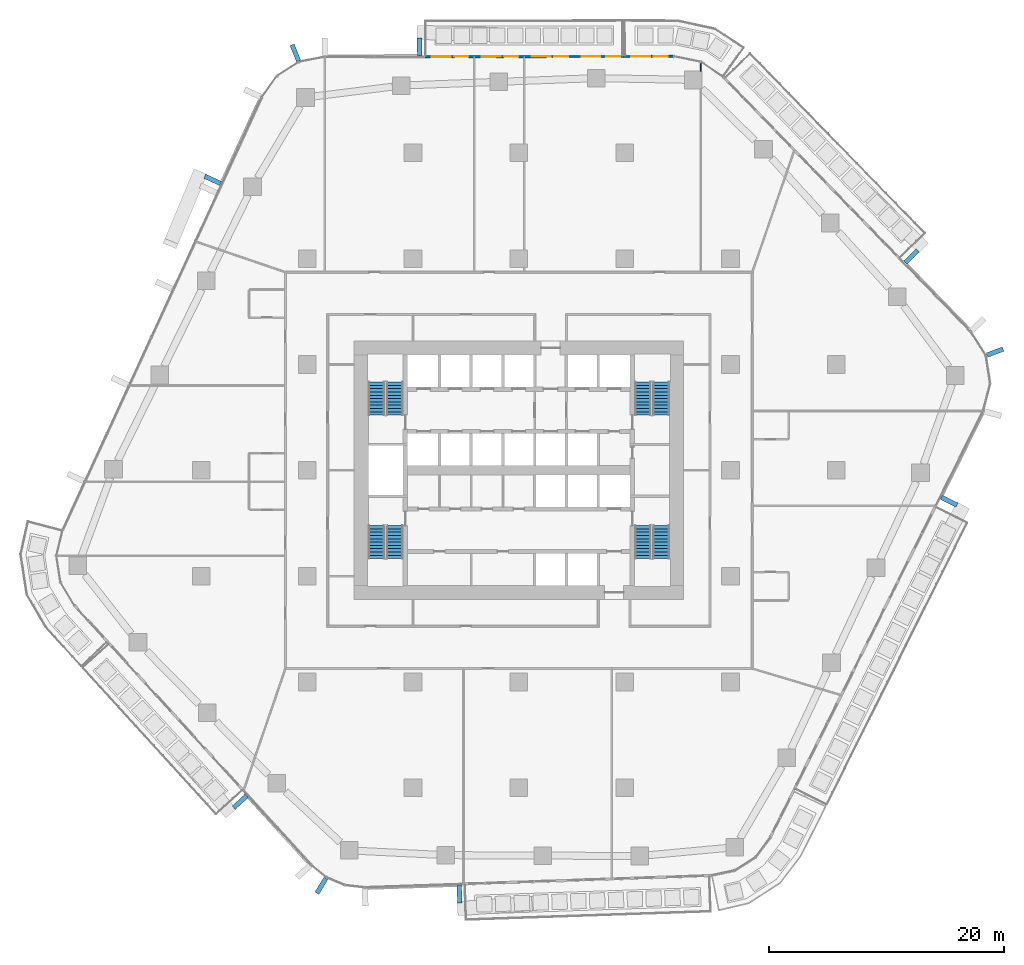
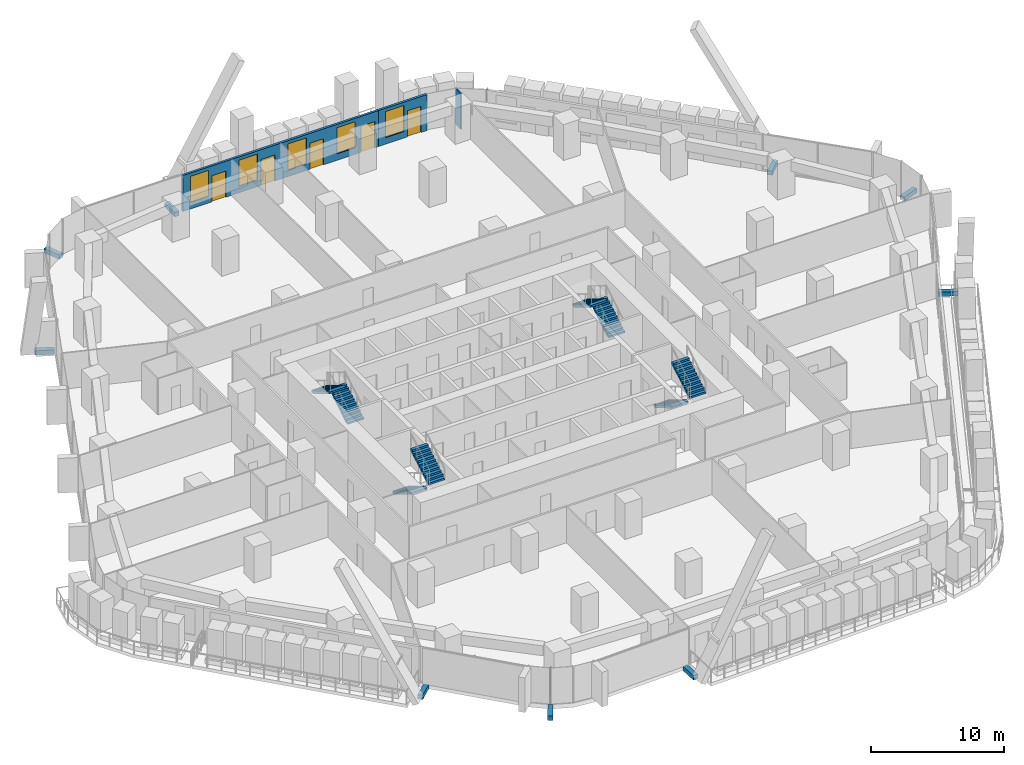
# One storey, part 18 of 26: 9 discrete accessories, 8 stair flights, 5 doors, 5 windows, 3 walls, 10 openings, 4 elements without a shape of their own.
"""IFC4 building model written with IfcOpenShell, lengths in metres."""

from ifc_helpers import new_model, si_unit, direction, frame, frame_2d, origin, origin_2d, place, context, subcontext, project, spatial, polyline, rectangle, outline, extrude, material, layer, layer_set, type_object, element, fill, aggregate, save


model = new_model("IFC4")

# Units and contexts
model_context = context("Model", 3, precision=1e-05, world=origin(), true_north=direction((0.0, 1.0)))
body_context = subcontext(model_context, "Body", "Model", "MODEL_VIEW")
ifc_project = project(units=[si_unit("LENGTHUNIT", "METRE"), si_unit("AREAUNIT", "SQUARE_METRE"), si_unit("VOLUMEUNIT", "CUBIC_METRE"), si_unit("PLANEANGLEUNIT", "RADIAN"), si_unit("MASSUNIT", "GRAM", prefix="KILO")], contexts=[model_context])

# Site, building, storey
site_placement = place(None, origin())
site = spatial("IfcSite", under=ifc_project, at=site_placement, CompositionType="ELEMENT")
building_placement = place(site_placement, origin())
building = spatial("IfcBuilding", under=site, at=building_placement, Name="Dongbaek Canopy Tower", CompositionType="ELEMENT")
storey_placement = place(building_placement, frame((0.0, 0.0, 73.60009765625)))
storey = spatial("IfcBuildingStorey", under=building, at=storey_placement, Name="L14", CompositionType="ELEMENT", Elevation=73.60009765625)

# Wall
ifc_material_1 = material(Name="Gypsum board partition, steel stud, 2 x 12.5 mm board", Category="steel")
ifc_layer_1 = layer(ifc_material_1, 0.10009765625)
ifc_layer_set_1 = layer_set([ifc_layer_1], Name="Partition 100 gypsum board")
wall_type_1 = type_object("IfcWallType", Name="Partition 100 gypsum board", PredefinedType="PARTITIONING", material=ifc_layer_set_1)
wall_1_placement = place(storey_placement, frame((15.47607421875, 33.944091796875, 0.0), z_axis=(0.0, 0.0, 1.0), x_axis=(0.0, 1.0, 0.0)))
element("IfcWall", 1, at=wall_1_placement, inside=storey, type_object=wall_type_1, Name="Partition", PredefinedType="PARTITIONING", context=body_context, shape_type="SweptSolid", body=[
    extrude(rectangle(XDim=0.76171875, YDim=0.10009765625, at=frame_2d((0.380859375, 0.0))), origin(), (0.0, 0.0, 1.0), 3.2998046875),
])

# Wall, openings, doors, windows
ifc_material_2 = material(Name="Aluminium window wall", Category="aluminium")
ifc_layer_2 = layer(ifc_material_2, 0.199951171875)
ifc_layer_set_2 = layer_set([ifc_layer_2], Name="Window wall 200")
wall_type_2 = type_object("IfcWallType", Name="Window wall 200", PredefinedType="SOLIDWALL", material=ifc_layer_set_2)
wall_2_placement = place(storey_placement, frame((8.934326171875, 35.189697265625, 0.0), z_axis=(0.0, 0.0, 1.0), x_axis=(-0.999998964441, -0.001439137329, 0.0)))
wall_2 = element("IfcWall", 2, at=wall_2_placement, inside=storey, type_object=wall_type_2, Name="Window wall L14 2", PredefinedType="SOLIDWALL", context=body_context, shape_type="SweptSolid", body=[
    extrude(rectangle(XDim=16.96435546875, YDim=0.199951171875, at=frame_2d((8.482177734375, 0.0))), origin(), (0.0, 0.0, 1.0), 3.2998046875),
])
opening_1_placement = place(wall_2_placement, frame((2.0, 0.0, 0.60009765625)))
opening_1 = element("IfcOpeningElement", 3, at=opening_1_placement, cuts=wall_2, Name="Opening W1", PredefinedType="OPENING", context=body_context, shape_type="SweptSolid", body=[
    extrude(rectangle(XDim=1.60009765625, YDim=2.39990234375, at=frame_2d((0.800048828125, 1.199951171875))), frame((0.0, 0.10986328125, 0.0), z_axis=(0.0, -1.0, 0.0), x_axis=(1.0, 0.0, 0.0)), (0.0, 0.0, 1.0), 0.219970703125),
])
opening_2_placement = place(wall_2_placement, frame((0.300048828125, 0.0, 0.0)))
opening_2 = element("IfcOpeningElement", 4, at=opening_2_placement, cuts=wall_2, Name="Opening L14-B06", PredefinedType="OPENING", context=body_context, shape_type="SweptSolid", body=[
    extrude(rectangle(XDim=1.199951171875, YDim=2.39990234375, at=frame_2d((0.60009765625, 1.199951171875))), frame((0.0, 0.10986328125, 0.0), z_axis=(0.0, -1.0, 0.0), x_axis=(1.0, 0.0, 0.0)), (0.0, 0.0, 1.0), 0.219970703125),
])
opening_3_placement = place(wall_2_placement, frame((6.2412109375, 0.0, 0.60009765625)))
opening_3 = element("IfcOpeningElement", 5, at=opening_3_placement, cuts=wall_2, Name="Opening W1", PredefinedType="OPENING", context=body_context, shape_type="SweptSolid", body=[
    extrude(rectangle(XDim=1.60009765625, YDim=2.39990234375, at=frame_2d((0.800048828125, 1.199951171875))), frame((0.0, 0.10986328125, 0.0), z_axis=(0.0, -1.0, 0.0), x_axis=(1.0, 0.0, 0.0)), (0.0, 0.0, 1.0), 0.219970703125),
])
opening_4_placement = place(wall_2_placement, frame((4.7412109375, 0.0, 0.0)))
opening_4 = element("IfcOpeningElement", 6, at=opening_4_placement, cuts=wall_2, Name="Opening L14-B07", PredefinedType="OPENING", context=body_context, shape_type="SweptSolid", body=[
    extrude(rectangle(XDim=1.199951171875, YDim=2.39990234375, at=frame_2d((0.60009765625, 1.199951171875))), frame((0.0, 0.10986328125, 0.0), z_axis=(0.0, -1.0, 0.0), x_axis=(1.0, 0.0, 0.0)), (0.0, 0.0, 1.0), 0.219970703125),
])
opening_5_placement = place(wall_2_placement, frame((10.482177734375, 0.0, 0.60009765625)))
opening_5 = element("IfcOpeningElement", 7, at=opening_5_placement, cuts=wall_2, Name="Opening W1", PredefinedType="OPENING", context=body_context, shape_type="SweptSolid", body=[
    extrude(rectangle(XDim=1.60009765625, YDim=2.39990234375, at=frame_2d((0.800048828125, 1.199951171875))), frame((0.0, 0.10986328125, 0.0), z_axis=(0.0, -1.0, 0.0), x_axis=(1.0, 0.0, 0.0)), (0.0, 0.0, 1.0), 0.219970703125),
])
opening_6_placement = place(wall_2_placement, frame((8.982177734375, 0.0, 0.0)))
opening_6 = element("IfcOpeningElement", 8, at=opening_6_placement, cuts=wall_2, Name="Opening L14-B08", PredefinedType="OPENING", context=body_context, shape_type="SweptSolid", body=[
    extrude(rectangle(XDim=1.199951171875, YDim=2.39990234375, at=frame_2d((0.60009765625, 1.199951171875))), frame((0.0, 0.10986328125, 0.0), z_axis=(0.0, -1.0, 0.0), x_axis=(1.0, 0.0, 0.0)), (0.0, 0.0, 1.0), 0.219970703125),
])
opening_7_placement = place(wall_2_placement, frame((14.723388671875, 0.0, 0.60009765625)))
opening_7 = element("IfcOpeningElement", 9, at=opening_7_placement, cuts=wall_2, Name="Opening W1", PredefinedType="OPENING", context=body_context, shape_type="SweptSolid", body=[
    extrude(rectangle(XDim=1.60009765625, YDim=2.39990234375, at=frame_2d((0.800048828125, 1.199951171875))), frame((0.0, 0.10986328125, 0.0), z_axis=(0.0, -1.0, 0.0), x_axis=(1.0, 0.0, 0.0)), (0.0, 0.0, 1.0), 0.219970703125),
])
opening_8_placement = place(wall_2_placement, frame((13.223388671875, 0.0, 0.0)))
opening_8 = element("IfcOpeningElement", 10, at=opening_8_placement, cuts=wall_2, Name="Opening L14-B09", PredefinedType="OPENING", context=body_context, shape_type="SweptSolid", body=[
    extrude(rectangle(XDim=1.199951171875, YDim=2.39990234375, at=frame_2d((0.60009765625, 1.199951171875))), frame((0.0, 0.10986328125, 0.0), z_axis=(0.0, -1.0, 0.0), x_axis=(1.0, 0.0, 0.0)), (0.0, 0.0, 1.0), 0.219970703125),
])
ifc_material_3 = material(Name="Clear glazing in aluminium frame", Category="aluminium")
door_type = type_object("IfcDoorType", Name="Balcony door BD1 1200 x 2400", OperationType="SLIDING_TO_LEFT", PredefinedType="DOOR", material=ifc_material_3)
door_1_placement = place(opening_2_placement, origin())
door_1 = element("IfcDoor", 11, at=door_1_placement, inside=storey, type_object=door_type, Name="Balcony door L14-B06", OperationType="SLIDING_TO_LEFT", OverallHeight=2.39990234375, OverallWidth=1.199951171875, PredefinedType="DOOR", context=body_context, shape_type="SweptSolid", body=[
    extrude(rectangle(XDim=1.199951171875, YDim=2.39990234375, at=frame_2d((0.60009765625, 1.199951171875))), frame((0.0, 0.02490234375, 0.0), z_axis=(0.0, -1.0, 0.0), x_axis=(1.0, 0.0, 0.0)), (0.0, 0.0, 1.0), 0.050048828125),
])
fill(opening_2, door_1)
door_2_placement = place(opening_4_placement, origin())
door_2 = element("IfcDoor", 12, at=door_2_placement, inside=storey, type_object=door_type, Name="Balcony door L14-B07", OperationType="SLIDING_TO_LEFT", OverallHeight=2.39990234375, OverallWidth=1.199951171875, PredefinedType="DOOR", context=body_context, shape_type="SweptSolid", body=[
    extrude(rectangle(XDim=1.199951171875, YDim=2.39990234375, at=frame_2d((0.60009765625, 1.199951171875))), frame((0.0, 0.02490234375, 0.0), z_axis=(0.0, -1.0, 0.0), x_axis=(1.0, 0.0, 0.0)), (0.0, 0.0, 1.0), 0.050048828125),
])
fill(opening_4, door_2)
door_3_placement = place(opening_6_placement, origin())
door_3 = element("IfcDoor", 13, at=door_3_placement, inside=storey, type_object=door_type, Name="Balcony door L14-B08", OperationType="SLIDING_TO_LEFT", OverallHeight=2.39990234375, OverallWidth=1.199951171875, PredefinedType="DOOR", context=body_context, shape_type="SweptSolid", body=[
    extrude(rectangle(XDim=1.199951171875, YDim=2.39990234375, at=frame_2d((0.60009765625, 1.199951171875))), frame((0.0, 0.02490234375, 0.0), z_axis=(0.0, -1.0, 0.0), x_axis=(1.0, 0.0, 0.0)), (0.0, 0.0, 1.0), 0.050048828125),
])
fill(opening_6, door_3)
door_4_placement = place(opening_8_placement, origin())
door_4 = element("IfcDoor", 14, at=door_4_placement, inside=storey, type_object=door_type, Name="Balcony door L14-B09", OperationType="SLIDING_TO_LEFT", OverallHeight=2.39990234375, OverallWidth=1.199951171875, PredefinedType="DOOR", context=body_context, shape_type="SweptSolid", body=[
    extrude(rectangle(XDim=1.199951171875, YDim=2.39990234375, at=frame_2d((0.60009765625, 1.199951171875))), frame((0.0, 0.02490234375, 0.0), z_axis=(0.0, -1.0, 0.0), x_axis=(1.0, 0.0, 0.0)), (0.0, 0.0, 1.0), 0.050048828125),
])
fill(opening_8, door_4)
ifc_material_4 = material(Name="Clear glazing in aluminium frame", Category="aluminium")
window_type = type_object("IfcWindowType", Name="Window W1 1600 x 2400", PartitioningType="SINGLE_PANEL", PredefinedType="WINDOW", material=ifc_material_4)
window_1_placement = place(opening_1_placement, origin())
window_1 = element("IfcWindow", 15, at=window_1_placement, inside=storey, type_object=window_type, Name="Window L14 2.1", OverallHeight=2.39990234375, OverallWidth=1.60009765625, PartitioningType="SINGLE_PANEL", PredefinedType="WINDOW", context=body_context, shape_type="SweptSolid", body=[
    extrude(rectangle(XDim=1.60009765625, YDim=2.39990234375, at=frame_2d((0.800048828125, 1.199951171875))), frame((0.0, 0.030029296875, 0.0), z_axis=(0.0, -1.0, 0.0), x_axis=(1.0, 0.0, 0.0)), (0.0, 0.0, 1.0), 0.06005859375),
])
fill(opening_1, window_1)
window_2_placement = place(opening_3_placement, origin())
window_2 = element("IfcWindow", 16, at=window_2_placement, inside=storey, type_object=window_type, Name="Window L14 2.2", OverallHeight=2.39990234375, OverallWidth=1.60009765625, PartitioningType="SINGLE_PANEL", PredefinedType="WINDOW", context=body_context, shape_type="SweptSolid", body=[
    extrude(rectangle(XDim=1.60009765625, YDim=2.39990234375, at=frame_2d((0.800048828125, 1.199951171875))), frame((0.0, 0.030029296875, 0.0), z_axis=(0.0, -1.0, 0.0), x_axis=(1.0, 0.0, 0.0)), (0.0, 0.0, 1.0), 0.06005859375),
])
fill(opening_3, window_2)
window_3_placement = place(opening_5_placement, origin())
window_3 = element("IfcWindow", 17, at=window_3_placement, inside=storey, type_object=window_type, Name="Window L14 2.3", OverallHeight=2.39990234375, OverallWidth=1.60009765625, PartitioningType="SINGLE_PANEL", PredefinedType="WINDOW", context=body_context, shape_type="SweptSolid", body=[
    extrude(rectangle(XDim=1.60009765625, YDim=2.39990234375, at=frame_2d((0.800048828125, 1.199951171875))), frame((0.0, 0.030029296875, 0.0), z_axis=(0.0, -1.0, 0.0), x_axis=(1.0, 0.0, 0.0)), (0.0, 0.0, 1.0), 0.06005859375),
])
fill(opening_5, window_3)
window_4_placement = place(opening_7_placement, origin())
window_4 = element("IfcWindow", 18, at=window_4_placement, inside=storey, type_object=window_type, Name="Window L14 2.4", OverallHeight=2.39990234375, OverallWidth=1.60009765625, PartitioningType="SINGLE_PANEL", PredefinedType="WINDOW", context=body_context, shape_type="SweptSolid", body=[
    extrude(rectangle(XDim=1.60009765625, YDim=2.39990234375, at=frame_2d((0.800048828125, 1.199951171875))), frame((0.0, 0.030029296875, 0.0), z_axis=(0.0, -1.0, 0.0), x_axis=(1.0, 0.0, 0.0)), (0.0, 0.0, 1.0), 0.06005859375),
])
fill(opening_7, window_4)

# Wall, openings, door, window
wall_3_placement = place(storey_placement, frame((13.16552734375, 35.19580078125, 0.0), z_axis=(0.0, 0.0, 1.0), x_axis=(-0.999998959596, -0.001442500374, 0.0)))
wall_3 = element("IfcWall", 19, at=wall_3_placement, inside=storey, type_object=wall_type_2, Name="Window wall L14 6", PredefinedType="SOLIDWALL", context=body_context, shape_type="SweptSolid", body=[
    extrude(rectangle(XDim=4.231201171875, YDim=0.199951171875, at=frame_2d((2.11572265625, 0.0))), origin(), (0.0, 0.0, 1.0), 3.2998046875),
])
opening_9_placement = place(wall_3_placement, frame((2.0, 0.0, 0.60009765625)))
opening_9 = element("IfcOpeningElement", 20, at=opening_9_placement, cuts=wall_3, Name="Opening W1", PredefinedType="OPENING", context=body_context, shape_type="SweptSolid", body=[
    extrude(rectangle(XDim=1.60009765625, YDim=2.39990234375, at=frame_2d((0.800048828125, 1.199951171875))), frame((0.0, 0.10986328125, 0.0), z_axis=(0.0, -1.0, 0.0), x_axis=(1.0, 0.0, 0.0)), (0.0, 0.0, 1.0), 0.219970703125),
])
opening_10_placement = place(wall_3_placement, frame((0.5, 0.0, 0.0)))
opening_10 = element("IfcOpeningElement", 21, at=opening_10_placement, cuts=wall_3, Name="Opening L14-B10", PredefinedType="OPENING", context=body_context, shape_type="SweptSolid", body=[
    extrude(rectangle(XDim=1.199951171875, YDim=2.39990234375, at=frame_2d((0.60009765625, 1.199951171875))), frame((0.0, 0.10986328125, 0.0), z_axis=(0.0, -1.0, 0.0), x_axis=(1.0, 0.0, 0.0)), (0.0, 0.0, 1.0), 0.219970703125),
])
door_5_placement = place(opening_10_placement, origin())
door_5 = element("IfcDoor", 22, at=door_5_placement, inside=storey, type_object=door_type, Name="Balcony door L14-B10", OperationType="SLIDING_TO_LEFT", OverallHeight=2.39990234375, OverallWidth=1.199951171875, PredefinedType="DOOR", context=body_context, shape_type="SweptSolid", body=[
    extrude(rectangle(XDim=1.199951171875, YDim=2.39990234375, at=frame_2d((0.60009765625, 1.199951171875))), frame((0.0, 0.02490234375, 0.0), z_axis=(0.0, -1.0, 0.0), x_axis=(1.0, 0.0, 0.0)), (0.0, 0.0, 1.0), 0.050048828125),
])
fill(opening_10, door_5)
window_5_placement = place(opening_9_placement, origin())
window_5 = element("IfcWindow", 23, at=window_5_placement, inside=storey, type_object=window_type, Name="Window L14 6.1", OverallHeight=2.39990234375, OverallWidth=1.60009765625, PartitioningType="SINGLE_PANEL", PredefinedType="WINDOW", context=body_context, shape_type="SweptSolid", body=[
    extrude(rectangle(XDim=1.60009765625, YDim=2.39990234375, at=frame_2d((0.800048828125, 1.199951171875))), frame((0.0, 0.030029296875, 0.0), z_axis=(0.0, -1.0, 0.0), x_axis=(1.0, 0.0, 0.0)), (0.0, 0.0, 1.0), 0.06005859375),
])
fill(opening_9, window_5)

# Stair, stair flights
ifc_material_5 = material(Name="Concrete C40/50", Category="concrete")
stair_type = type_object("IfcStairType", Name="Core exit stair", PredefinedType="HALF_TURN_STAIR", material=ifc_material_5)
stair_1_placement = place(storey_placement, origin())
stair_1 = element("IfcStair", 24, at=stair_1_placement, inside=storey, type_object=stair_type, Name="L14 exit stair A", PredefinedType="HALF_TURN_STAIR")
ifc_material_6 = material(Name="Concrete C40/50", Category="concrete")
ifc_layer_3 = layer(ifc_material_6, 0.14990234375)
ifc_layer_set_3 = layer_set([ifc_layer_3], Name="Core stair flight 150 waist")
stair_flight_type = type_object("IfcStairFlightType", Name="Core stair flight 150 waist", PredefinedType="STRAIGHT", material=ifc_layer_set_3)
stair_flight_1_placement = place(storey_placement, frame((12.10009765625, 4.699951171875, 0.0), z_axis=(0.0, 0.0, 1.0), x_axis=(0.0, 1.0, 0.0)))
stair_flight_1 = element("IfcStairFlight", 25, at=stair_flight_1_placement, type_object=stair_flight_type, Name="ST-A flight 1", NumberOfRisers=11, NumberOfTreads=10, PredefinedType="STRAIGHT", RiserHeight=0.168181818, TreadLength=0.28, context=body_context, shape_type="SweptSolid", body=[
    extrude(outline(polyline([(0.0, 0.0), (0.0, 0.168212890625), (0.280029296875, 0.168212890625), (0.280029296875, 0.33642578125), (0.56005859375, 0.33642578125), (0.56005859375, 0.504638671875), (0.840087890625, 0.504638671875), (0.840087890625, 0.672607421875), (1.1201171875, 0.672607421875), (1.1201171875, 0.8408203125), (1.39990234375, 0.8408203125), (1.39990234375, 1.009033203125), (1.679931640625, 1.009033203125), (1.679931640625, 1.17724609375), (1.9599609375, 1.17724609375), (1.9599609375, 1.345458984375), (2.239990234375, 1.345458984375), (2.239990234375, 1.513671875), (2.52001953125, 1.513671875), (2.52001953125, 1.681884765625), (2.800048828125, 1.681884765625), (2.800048828125, 1.85009765625), (2.800048828125, 1.5068359375), (0.291015625, 0.0), (0.0, 0.0)])), frame((0.0, 0.699951171875, 0.0), z_axis=(0.0, -1.0, 0.0), x_axis=(1.0, 0.0, 0.0)), (0.0, 0.0, 1.0), 1.39990234375),
])
stair_flight_2_placement = place(storey_placement, frame((10.550048828125, 7.5, 1.849853515625), z_axis=(0.0, 0.0, 1.0), x_axis=(0.0, -1.0, 0.0)))
stair_flight_2 = element("IfcStairFlight", 26, at=stair_flight_2_placement, type_object=stair_flight_type, Name="ST-A flight 2", NumberOfRisers=11, NumberOfTreads=10, PredefinedType="STRAIGHT", RiserHeight=0.168181818, TreadLength=0.28, context=body_context, shape_type="SweptSolid", body=[
    extrude(outline(polyline([(0.0, 0.0), (0.0, 0.168212890625), (0.280029296875, 0.168212890625), (0.280029296875, 0.33642578125), (0.56005859375, 0.33642578125), (0.56005859375, 0.504638671875), (0.840087890625, 0.504638671875), (0.840087890625, 0.672607421875), (1.1201171875, 0.672607421875), (1.1201171875, 0.8408203125), (1.39990234375, 0.8408203125), (1.39990234375, 1.009033203125), (1.679931640625, 1.009033203125), (1.679931640625, 1.17724609375), (1.9599609375, 1.17724609375), (1.9599609375, 1.345458984375), (2.239990234375, 1.345458984375), (2.239990234375, 1.513671875), (2.52001953125, 1.513671875), (2.52001953125, 1.681884765625), (2.800048828125, 1.681884765625), (2.800048828125, 1.85009765625), (2.800048828125, 1.5068359375), (0.291015625, 0.0), (0.0, 0.0)])), frame((0.0, 0.699951171875, 0.0), z_axis=(0.0, -1.0, 0.0), x_axis=(1.0, 0.0, 0.0)), (0.0, 0.0, 1.0), 1.39990234375),
])
aggregate(stair_1, [stair_flight_1, stair_flight_2])

stair_2_placement = place(storey_placement, origin())
stair_2 = element("IfcStair", 27, at=stair_2_placement, inside=storey, type_object=stair_type, Name="L14 exit stair C", PredefinedType="HALF_TURN_STAIR")
stair_flight_3_placement = place(storey_placement, frame((-10.550048828125, 4.699951171875, 0.0), z_axis=(0.0, 0.0, 1.0), x_axis=(0.0, 1.0, 0.0)))
stair_flight_3 = element("IfcStairFlight", 28, at=stair_flight_3_placement, type_object=stair_flight_type, Name="ST-C flight 1", NumberOfRisers=11, NumberOfTreads=10, PredefinedType="STRAIGHT", RiserHeight=0.168181818, TreadLength=0.28, context=body_context, shape_type="SweptSolid", body=[
    extrude(outline(polyline([(0.0, 0.0), (0.0, 0.168212890625), (0.280029296875, 0.168212890625), (0.280029296875, 0.33642578125), (0.56005859375, 0.33642578125), (0.56005859375, 0.504638671875), (0.840087890625, 0.504638671875), (0.840087890625, 0.672607421875), (1.1201171875, 0.672607421875), (1.1201171875, 0.8408203125), (1.39990234375, 0.8408203125), (1.39990234375, 1.009033203125), (1.679931640625, 1.009033203125), (1.679931640625, 1.17724609375), (1.9599609375, 1.17724609375), (1.9599609375, 1.345458984375), (2.239990234375, 1.345458984375), (2.239990234375, 1.513671875), (2.52001953125, 1.513671875), (2.52001953125, 1.681884765625), (2.800048828125, 1.681884765625), (2.800048828125, 1.85009765625), (2.800048828125, 1.5068359375), (0.291015625, 0.0), (0.0, 0.0)])), frame((0.0, 0.699951171875, 0.0), z_axis=(0.0, -1.0, 0.0), x_axis=(1.0, 0.0, 0.0)), (0.0, 0.0, 1.0), 1.39990234375),
])
stair_flight_4_placement = place(storey_placement, frame((-12.10009765625, 7.5, 1.849853515625), z_axis=(0.0, 0.0, 1.0), x_axis=(0.0, -1.0, 0.0)))
stair_flight_4 = element("IfcStairFlight", 29, at=stair_flight_4_placement, type_object=stair_flight_type, Name="ST-C flight 2", NumberOfRisers=11, NumberOfTreads=10, PredefinedType="STRAIGHT", RiserHeight=0.168181818, TreadLength=0.28, context=body_context, shape_type="SweptSolid", body=[
    extrude(outline(polyline([(0.0, 0.0), (0.0, 0.168212890625), (0.280029296875, 0.168212890625), (0.280029296875, 0.33642578125), (0.56005859375, 0.33642578125), (0.56005859375, 0.504638671875), (0.840087890625, 0.504638671875), (0.840087890625, 0.672607421875), (1.1201171875, 0.672607421875), (1.1201171875, 0.8408203125), (1.39990234375, 0.8408203125), (1.39990234375, 1.009033203125), (1.679931640625, 1.009033203125), (1.679931640625, 1.17724609375), (1.9599609375, 1.17724609375), (1.9599609375, 1.345458984375), (2.239990234375, 1.345458984375), (2.239990234375, 1.513671875), (2.52001953125, 1.513671875), (2.52001953125, 1.681884765625), (2.800048828125, 1.681884765625), (2.800048828125, 1.85009765625), (2.800048828125, 1.5068359375), (0.291015625, 0.0), (0.0, 0.0)])), frame((0.0, 0.699951171875, 0.0), z_axis=(0.0, -1.0, 0.0), x_axis=(1.0, 0.0, 0.0)), (0.0, 0.0, 1.0), 1.39990234375),
])
aggregate(stair_2, [stair_flight_3, stair_flight_4])

stair_3_placement = place(storey_placement, origin())
stair_3 = element("IfcStair", 30, at=stair_3_placement, inside=storey, type_object=stair_type, Name="L14 exit stair B", PredefinedType="HALF_TURN_STAIR")
stair_flight_5_placement = place(storey_placement, frame((10.550048828125, -4.699951171875, 0.0), z_axis=(0.0, 0.0, 1.0), x_axis=(0.0, -1.0, 0.0)))
stair_flight_5 = element("IfcStairFlight", 31, at=stair_flight_5_placement, type_object=stair_flight_type, Name="ST-B flight 1", NumberOfRisers=11, NumberOfTreads=10, PredefinedType="STRAIGHT", RiserHeight=0.168181818, TreadLength=0.28, context=body_context, shape_type="SweptSolid", body=[
    extrude(outline(polyline([(0.0, 0.0), (0.0, 0.168212890625), (0.280029296875, 0.168212890625), (0.280029296875, 0.33642578125), (0.56005859375, 0.33642578125), (0.56005859375, 0.504638671875), (0.840087890625, 0.504638671875), (0.840087890625, 0.672607421875), (1.1201171875, 0.672607421875), (1.1201171875, 0.8408203125), (1.39990234375, 0.8408203125), (1.39990234375, 1.009033203125), (1.679931640625, 1.009033203125), (1.679931640625, 1.17724609375), (1.9599609375, 1.17724609375), (1.9599609375, 1.345458984375), (2.239990234375, 1.345458984375), (2.239990234375, 1.513671875), (2.52001953125, 1.513671875), (2.52001953125, 1.681884765625), (2.800048828125, 1.681884765625), (2.800048828125, 1.85009765625), (2.800048828125, 1.5068359375), (0.291015625, 0.0), (0.0, 0.0)])), frame((0.0, 0.699951171875, 0.0), z_axis=(0.0, -1.0, 0.0), x_axis=(1.0, 0.0, 0.0)), (0.0, 0.0, 1.0), 1.39990234375),
])
stair_flight_6_placement = place(storey_placement, frame((12.10009765625, -7.5, 1.849853515625), z_axis=(0.0, 0.0, 1.0), x_axis=(0.0, 1.0, 0.0)))
stair_flight_6 = element("IfcStairFlight", 32, at=stair_flight_6_placement, type_object=stair_flight_type, Name="ST-B flight 2", NumberOfRisers=11, NumberOfTreads=10, PredefinedType="STRAIGHT", RiserHeight=0.168181818, TreadLength=0.28, context=body_context, shape_type="SweptSolid", body=[
    extrude(outline(polyline([(0.0, 0.0), (0.0, 0.168212890625), (0.280029296875, 0.168212890625), (0.280029296875, 0.33642578125), (0.56005859375, 0.33642578125), (0.56005859375, 0.504638671875), (0.840087890625, 0.504638671875), (0.840087890625, 0.672607421875), (1.1201171875, 0.672607421875), (1.1201171875, 0.8408203125), (1.39990234375, 0.8408203125), (1.39990234375, 1.009033203125), (1.679931640625, 1.009033203125), (1.679931640625, 1.17724609375), (1.9599609375, 1.17724609375), (1.9599609375, 1.345458984375), (2.239990234375, 1.345458984375), (2.239990234375, 1.513671875), (2.52001953125, 1.513671875), (2.52001953125, 1.681884765625), (2.800048828125, 1.681884765625), (2.800048828125, 1.85009765625), (2.800048828125, 1.5068359375), (0.291015625, 0.0), (0.0, 0.0)])), frame((0.0, 0.699951171875, 0.0), z_axis=(0.0, -1.0, 0.0), x_axis=(1.0, 0.0, 0.0)), (0.0, 0.0, 1.0), 1.39990234375),
])
aggregate(stair_3, [stair_flight_5, stair_flight_6])

stair_4_placement = place(storey_placement, origin())
stair_4 = element("IfcStair", 33, at=stair_4_placement, inside=storey, type_object=stair_type, Name="L14 exit stair D", PredefinedType="HALF_TURN_STAIR")
stair_flight_7_placement = place(storey_placement, frame((-12.10009765625, -4.699951171875, 0.0), z_axis=(0.0, 0.0, 1.0), x_axis=(0.0, -1.0, 0.0)))
stair_flight_7 = element("IfcStairFlight", 34, at=stair_flight_7_placement, type_object=stair_flight_type, Name="ST-D flight 1", NumberOfRisers=11, NumberOfTreads=10, PredefinedType="STRAIGHT", RiserHeight=0.168181818, TreadLength=0.28, context=body_context, shape_type="SweptSolid", body=[
    extrude(outline(polyline([(0.0, 0.0), (0.0, 0.168212890625), (0.280029296875, 0.168212890625), (0.280029296875, 0.33642578125), (0.56005859375, 0.33642578125), (0.56005859375, 0.504638671875), (0.840087890625, 0.504638671875), (0.840087890625, 0.672607421875), (1.1201171875, 0.672607421875), (1.1201171875, 0.8408203125), (1.39990234375, 0.8408203125), (1.39990234375, 1.009033203125), (1.679931640625, 1.009033203125), (1.679931640625, 1.17724609375), (1.9599609375, 1.17724609375), (1.9599609375, 1.345458984375), (2.239990234375, 1.345458984375), (2.239990234375, 1.513671875), (2.52001953125, 1.513671875), (2.52001953125, 1.681884765625), (2.800048828125, 1.681884765625), (2.800048828125, 1.85009765625), (2.800048828125, 1.5068359375), (0.291015625, 0.0), (0.0, 0.0)])), frame((0.0, 0.699951171875, 0.0), z_axis=(0.0, -1.0, 0.0), x_axis=(1.0, 0.0, 0.0)), (0.0, 0.0, 1.0), 1.39990234375),
])
stair_flight_8_placement = place(storey_placement, frame((-10.550048828125, -7.5, 1.849853515625), z_axis=(0.0, 0.0, 1.0), x_axis=(0.0, 1.0, 0.0)))
stair_flight_8 = element("IfcStairFlight", 35, at=stair_flight_8_placement, type_object=stair_flight_type, Name="ST-D flight 2", NumberOfRisers=11, NumberOfTreads=10, PredefinedType="STRAIGHT", RiserHeight=0.168181818, TreadLength=0.28, context=body_context, shape_type="SweptSolid", body=[
    extrude(outline(polyline([(0.0, 0.0), (0.0, 0.168212890625), (0.280029296875, 0.168212890625), (0.280029296875, 0.33642578125), (0.56005859375, 0.33642578125), (0.56005859375, 0.504638671875), (0.840087890625, 0.504638671875), (0.840087890625, 0.672607421875), (1.1201171875, 0.672607421875), (1.1201171875, 0.8408203125), (1.39990234375, 0.8408203125), (1.39990234375, 1.009033203125), (1.679931640625, 1.009033203125), (1.679931640625, 1.17724609375), (1.9599609375, 1.17724609375), (1.9599609375, 1.345458984375), (2.239990234375, 1.345458984375), (2.239990234375, 1.513671875), (2.52001953125, 1.513671875), (2.52001953125, 1.681884765625), (2.800048828125, 1.681884765625), (2.800048828125, 1.85009765625), (2.800048828125, 1.5068359375), (0.291015625, 0.0), (0.0, 0.0)])), frame((0.0, 0.699951171875, 0.0), z_axis=(0.0, -1.0, 0.0), x_axis=(1.0, 0.0, 0.0)), (0.0, 0.0, 1.0), 1.39990234375),
])
aggregate(stair_4, [stair_flight_7, stair_flight_8])

# Discrete accessories
ifc_material_7 = material(Name="Galvanised steel S355 bracket", Category="steel")
discrete_accessory_type = type_object("IfcDiscreteAccessoryType", Name="Crease fin bracket BR3 400", PredefinedType="BRACKET", material=ifc_material_7)
for number, where, z_axis, x_axis, name in (
    (36, (36.584716796875, -2.618408203125, -0.400146484375), (0.0, 0.0, 1.0), (0.89482297075, -0.446421158793, 0.0), "Crease fin bracket L14 F5"),
    (37, (33.384521484375, 18.185546875, -0.400146484375), (0.0, 0.0, 1.0), (0.717186761039, 0.696881015519, 0.0), "Crease fin bracket L14 F0"),
    (38, (-8.439208984375, 36.009765625, -0.400146484375), (0.0, 0.0, 1.0), (-0.001434660153, 0.999998970875, 0.0), "Crease fin bracket L14 F1"),
    (39, (-26.02734375, 24.69287109375, -0.400146484375), (0.0, 0.0, 1.0), (-0.908435961718, 0.418024046506, 0.0), "Crease fin bracket L14 F2"),
    (40, (-23.692626953125, -28.1796875, -0.400146484375), (0.0, 0.0, 1.0), (-0.738720081608, -0.674012344864, 0.0), "Crease fin bracket L14 F3"),
    (41, (-5.045166015625, -36.02490234375, -0.400146484375), (0.0, 0.0, 1.0), (0.03393315715, -0.999424104595, 0.0), "Crease fin bracket L14 F4"),
):
    element("IfcDiscreteAccessory", number, at=place(storey_placement, frame(where, z_axis=z_axis, x_axis=x_axis)), inside=storey, type_object=discrete_accessory_type, Name=name, PredefinedType="BRACKET", context=body_context, shape_type="SweptSolid", body=[
        extrude(rectangle(XDim=1.489990234375, YDim=0.39990234375, at=origin_2d()), origin(), (0.0, 0.0, 1.0), 0.39990234375),
    ])
for number, where, z_axis, x_axis, name in (
    (42, (40.489501953125, 10.05322265625, -0.400146484375), (0.0, 0.0, 1.0), (0.935976609021, 0.352062192468, 0.0), "Corner fin bracket L14 K0"),
    (43, (-19.007080078125, 35.505615234375, -0.400146484375), (0.0, 0.0, 1.0), (-0.371661129954, 0.928368463748, 0.0), "Corner fin bracket L14 K2"),
    (44, (-16.784912109375, -35.323486328125, -0.400146484375), (0.0, 0.0, 1.0), (-0.516534823334, -0.856266183078, 0.0), "Corner fin bracket L14 K4"),
):
    element("IfcDiscreteAccessory", number, at=place(storey_placement, frame(where, z_axis=z_axis, x_axis=x_axis)), inside=storey, type_object=discrete_accessory_type, Name=name, PredefinedType="BRACKET", context=body_context, shape_type="SweptSolid", body=[
        extrude(rectangle(XDim=1.469970703125, YDim=0.39990234375, at=origin_2d()), origin(), (0.0, 0.0, 1.0), 0.39990234375),
    ])

save(model, "model.ifc")
